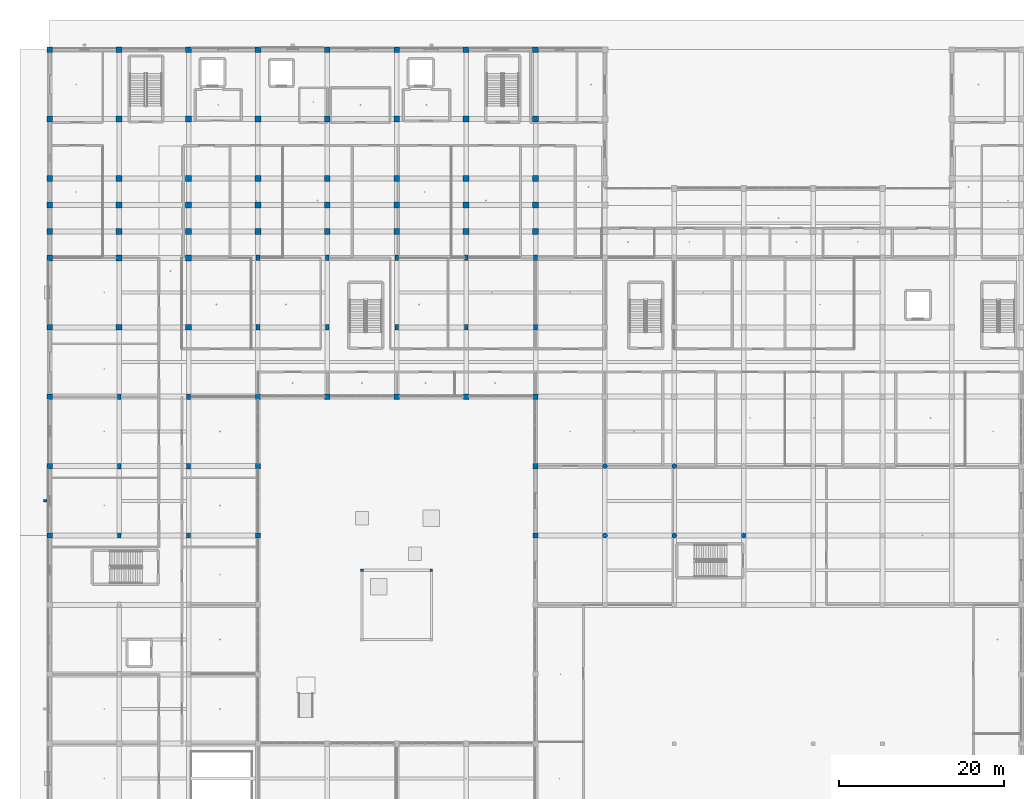
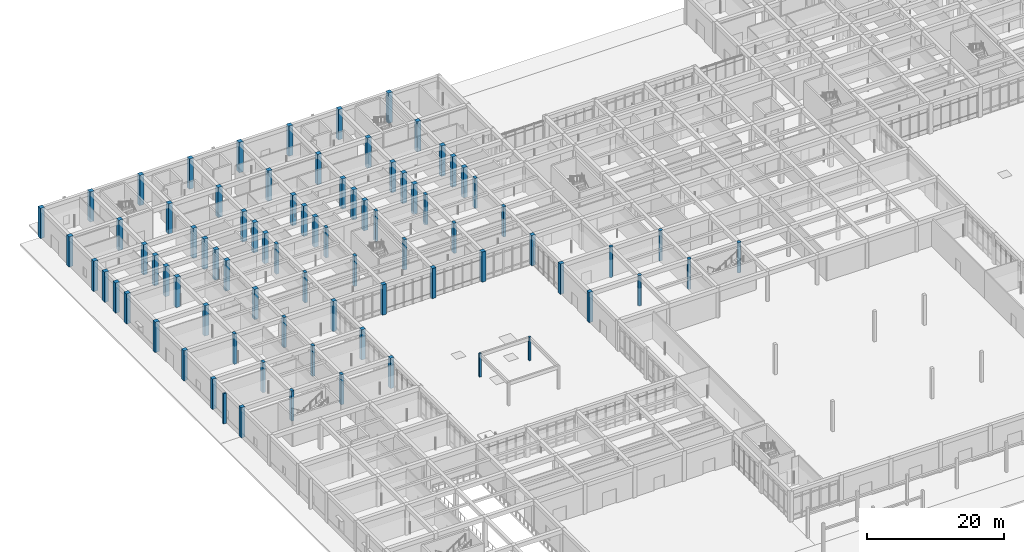
# One storey, part 3 of 167: 82 columns.
"""IFC4 building model written with IfcOpenShell, lengths in metres."""

import ifcopenshell
import ifcopenshell.guid

model = None  # the IFC model being written
_history = None  # IfcOwnerHistory: only IFC2X3 demands one
_inside = {}  # id of a spatial element -> (the spatial element, [elements in it])
_under = {}  # id of a project, library or spatial element -> (it, [spatial elements below it])
_declared = {}  # id of a project -> (the project, [libraries it declares])
_typed = {}  # id of a type object -> (the type object, [elements of that type])
_made_of = {}  # id of a material, layer set ... -> (it, [elements and type objects made of it])


def new_model(schema):
    """Start an empty IFC model of exactly this schema.

    Asked for "IFC4X3", IfcOpenShell would pick the latest addendum, in which some entities
    have other attributes; the version numbers below select the first issue.
    IFC2X3 requires an IfcOwnerHistory on every rooted entity: one is made here for all.
    """
    global model, _history
    if schema == "IFC4X3":
        model = ifcopenshell.file(schema_version=(4, 3, 0, 0))
    else:
        model = ifcopenshell.file(schema=schema)
    _inside.clear()
    _under.clear()
    _declared.clear()
    _typed.clear()
    _made_of.clear()
    _history = None
    if model.schema == "IFC2X3":
        org = make("IfcOrganization", Name="unknown")
        user = make(
            "IfcPersonAndOrganization",
            ThePerson=make("IfcPerson", FamilyName="unknown"),
            TheOrganization=org,
        )
        app = make(
            "IfcApplication",
            ApplicationDeveloper=org,
            Version="unknown",
            ApplicationFullName="unknown",
            ApplicationIdentifier="unknown",
        )
        _history = make(
            "IfcOwnerHistory",
            OwningUser=user,
            OwningApplication=app,
            ChangeAction="ADDED",
            CreationDate=0,
        )
    return model


def make(cls, **values):
    """One entity of the class cls with the attributes given. An attribute that is None is left unset."""
    return model.create_entity(
        cls, **{name: value for name, value in values.items() if value is not None}
    )


def rooted(cls, **values):
    """An entity with a GlobalId (a new one), such as an element, a storey or a relation."""
    return make(cls, GlobalId=ifcopenshell.guid.new(), OwnerHistory=_history, **values)


def si_unit(unit_type, name, prefix=None):
    """IfcSIUnit, for example si_unit("LENGTHUNIT", "METRE", prefix="MILLI")."""
    return make("IfcSIUnit", UnitType=unit_type, Prefix=prefix, Name=name)


def assignment(units):
    """IfcUnitAssignment: the units of a project."""
    return None if units is None else make("IfcUnitAssignment", Units=units)


def point(xyz):
    """IfcCartesianPoint."""
    return None if xyz is None else make("IfcCartesianPoint", Coordinates=xyz)


def direction(xyz):
    """IfcDirection."""
    return None if xyz is None else make("IfcDirection", DirectionRatios=xyz)


def frame(location, z_axis=None, x_axis=None):
    """IfcAxis2Placement3D, a coordinate frame: its origin and axes. An axis left out is left unset."""
    return make(
        "IfcAxis2Placement3D",
        Location=point(location),
        Axis=direction(z_axis),
        RefDirection=direction(x_axis),
    )


def frame_2d(location, x_axis=None):
    """IfcAxis2Placement2D, a coordinate frame in the plane: its origin and x axis."""
    return make(
        "IfcAxis2Placement2D", Location=point(location), RefDirection=direction(x_axis)
    )


def origin():
    """The frame at (0, 0, 0) with its axes left unset."""
    return frame((0.0, 0.0, 0.0))


def origin_2d():
    """The frame at (0, 0) in the plane with its x axis left unset."""
    return frame_2d((0.0, 0.0))


def place(relative_to, where):
    """IfcLocalPlacement: puts the frame where relative to a parent placement (None: the world)."""
    return make(
        "IfcLocalPlacement", PlacementRelTo=relative_to, RelativePlacement=where
    )


def context(
    kind, dimensions, precision=None, world=None, true_north=None, identifier=None
):
    """IfcGeometricRepresentationContext, for example the 3D "Model" context."""
    return make(
        "IfcGeometricRepresentationContext",
        ContextIdentifier=identifier,
        ContextType=kind,
        CoordinateSpaceDimension=dimensions,
        Precision=precision,
        WorldCoordinateSystem=world,
        TrueNorth=true_north,
    )


def subcontext(parent, identifier, kind, view, scale=None):
    """IfcGeometricRepresentationSubContext, for example "Body" below "Model"."""
    return make(
        "IfcGeometricRepresentationSubContext",
        ContextIdentifier=identifier,
        ContextType=kind,
        ParentContext=parent,
        TargetScale=scale,
        TargetView=view,
    )


def project(units=None, contexts=None):
    """IfcProject with its units and contexts."""
    return rooted(
        "IfcProject",
        Name="project",
        RepresentationContexts=contexts,
        UnitsInContext=assignment(units),
    )


def spatial(cls, under=None, at=None, **own):
    """A site, building, storey or space (cls), placed at a placement, below another one or the project."""
    s = rooted(cls, ObjectPlacement=at, **own)
    if under is not None:
        _under.setdefault(under.id(), (under, []))[1].append(s)
    return s


def profile(cls, at=None, kind="AREA", **sizes):
    """A parametric profile (cls). Its sizes go by their IFC names, for example OverallWidth=200.0."""
    return make(cls, ProfileType=kind, Position=at, **sizes)


def rectangle(**sizes):
    """IfcRectangleProfileDef."""
    return profile("IfcRectangleProfileDef", **sizes)


def circle(**sizes):
    """IfcCircleProfileDef."""
    return profile("IfcCircleProfileDef", **sizes)


def extrude(swept, where, along, depth):
    """IfcExtrudedAreaSolid: the profile swept, set in the frame where, extruded along a direction by depth."""
    return make(
        "IfcExtrudedAreaSolid",
        SweptArea=swept,
        Position=where,
        ExtrudedDirection=direction(along),
        Depth=depth,
    )


def shape(context_of_items, identifier, shape_type, items):
    """IfcShapeRepresentation: the items that make up one representation, for example the "Body"."""
    return make(
        "IfcShapeRepresentation",
        ContextOfItems=context_of_items,
        RepresentationIdentifier=identifier,
        RepresentationType=shape_type,
        Items=items,
    )


def material(Name=None, Category=None):
    """IfcMaterial."""
    return make("IfcMaterial", Name=Name, Category=Category)


def material_profile(
    of_material, cross_section, Name=None, Category=None, Priority=None
):
    """IfcMaterialProfile: a cross section and its material."""
    return make(
        "IfcMaterialProfile",
        Name=Name,
        Material=of_material,
        Profile=cross_section,
        Priority=Priority,
        Category=Category,
    )


def profile_set(profiles, Name=None, composite=None):
    """IfcMaterialProfileSet."""
    return make(
        "IfcMaterialProfileSet",
        Name=Name,
        MaterialProfiles=profiles,
        CompositeProfile=composite,
    )


def made_of(thing, what):
    """Note that an element or type object is made of a material, layer set ...; save() writes the relation."""
    if what is not None:
        _made_of.setdefault(what.id(), (what, []))[1].append(thing)
    return thing


def type_object(cls, material=None, **own):
    """A type object (cls), such as IfcWallType, which elements share."""
    return made_of(rooted(cls, **own), material)


def element(
    cls,
    number,
    at=None,
    inside=None,
    cuts=None,
    type_object=None,
    material=None,
    context=None,
    identifier="Body",
    shape_type=None,
    held_by="IfcProductDefinitionShape",
    body=None,
    shapes=None,
    **own,
):
    """One element of the class cls, such as IfcWall. Its Tag is "e" and its number.

    at: its placement. inside: the storey or other place that contains it. cuts: it is an
    opening in that element (IfcRelVoidsElement). A single representation is given by context,
    identifier, shape_type and body (its items); several are given by shapes. held_by: the class
    of the entity that holds the representations. save() writes the other relations.
    """
    e = rooted(cls, Tag="e%d" % number, ObjectPlacement=at, **own)
    if body is not None:
        shapes = [shape(context, identifier, shape_type, body)]
    if shapes is not None:
        e.Representation = make(held_by, Representations=shapes)
    if inside is not None:
        _inside.setdefault(inside.id(), (inside, []))[1].append(e)
    if cuts is not None:
        rooted(
            "IfcRelVoidsElement", RelatingBuildingElement=cuts, RelatedOpeningElement=e
        )
    if type_object is not None:
        _typed.setdefault(type_object.id(), (type_object, []))[1].append(e)
    return made_of(e, material)


def aggregate(whole, parts):
    """IfcRelAggregates: a whole, such as a stair, and the parts it consists of."""
    return rooted("IfcRelAggregates", RelatingObject=whole, RelatedObjects=parts)


def save(model, path):
    """Write the relations noted so far, then the file.

    IfcRelAggregates (storeys below a building ...), IfcRelContainedInSpatialStructure (elements
    in a storey), IfcRelDefinesByType, IfcRelAssociatesMaterial and IfcRelDeclares: one each for
    every whole, place, type object, material and project.
    """
    for whole, parts in _under.values():
        aggregate(whole, parts)
    for where, things in _inside.values():
        rooted(
            "IfcRelContainedInSpatialStructure",
            RelatedElements=things,
            RelatingStructure=where,
        )
    for kind, things in _typed.values():
        rooted("IfcRelDefinesByType", RelatedObjects=things, RelatingType=kind)
    for what, things in _made_of.values():
        rooted("IfcRelAssociatesMaterial", RelatedObjects=things, RelatingMaterial=what)
    for by, libraries in _declared.values():
        rooted("IfcRelDeclares", RelatingContext=by, RelatedDefinitions=libraries)
    model.write(path)


model = new_model("IFC4")

# Units and contexts
model_context = context("Model", 3, precision=1e-05, world=origin(), true_north=direction((0.0, 1.0)))
body_context = subcontext(model_context, "Body", "Model", "MODEL_VIEW")
ifc_project = project(units=[si_unit("LENGTHUNIT", "METRE"), si_unit("AREAUNIT", "SQUARE_METRE"), si_unit("VOLUMEUNIT", "CUBIC_METRE"), si_unit("PLANEANGLEUNIT", "RADIAN"), si_unit("MASSUNIT", "GRAM", prefix="KILO")], contexts=[model_context])

# Site, building, storey
site_placement = place(None, origin())
site = spatial("IfcSite", under=ifc_project, at=site_placement, CompositionType="ELEMENT")
building_placement = place(site_placement, origin())
building = spatial("IfcBuilding", under=site, at=building_placement, Name="Varncliffe General Hospital", CompositionType="ELEMENT")
storey_placement = place(building_placement, origin())
storey = spatial("IfcBuildingStorey", under=building, at=storey_placement, Name="L00", CompositionType="ELEMENT", Elevation=0.0)

# Columns
ifc_material_1 = material(Name="Concrete C40/50 (CSA A23.1 40 MPa)", Category="concrete")
ifc_material_profile_1 = material_profile(ifc_material_1, rectangle(XDim=0.64990234375, YDim=0.64990234375, at=origin_2d()), Name="RC 650x650")
ifc_profile_set_1 = profile_set([ifc_material_profile_1], Name="Concrete C40/50 (CSA A23.1 40 MPa)")
column_type_1 = type_object("IfcColumnType", Name="Column C21 (Ext RC 650x650)", PredefinedType="COLUMN", material=ifc_profile_set_1)
for number, where, z_axis, x_axis, name in (
    (1, (0.0, 66.0, 0.0), (0.0, 0.0, 1.0), (1.0, 0.0, 0.0), "L00 Column C21"),
    (2, (0.0, 74.39990234375, 0.0), (0.0, 0.0, 1.0), (1.0, 0.0, 0.0), "L00 Column C21"),
    (3, (0.0, 82.800048828125, 0.0), (0.0, 0.0, 1.0), (1.0, 0.0, 0.0), "L00 Column C21"),
    (4, (25.199951171875, 66.0, 0.0), (0.0, 0.0, 1.0), (1.0, 0.0, 0.0), "L00 Column C21"),
    (5, (25.199951171875, 74.39990234375, 0.0), (0.0, 0.0, 1.0), (1.0, 0.0, 0.0), "L00 Column C21"),
    (6, (25.199951171875, 82.800048828125, 0.0), (0.0, 0.0, 1.0), (1.0, 0.0, 0.0), "L00 Column C21"),
    (7, (33.60009765625, 82.800048828125, 0.0), (0.0, 0.0, 1.0), (1.0, 0.0, 0.0), "L00 Column C21"),
    (8, (42.0, 82.800048828125, 0.0), (0.0, 0.0, 1.0), (1.0, 0.0, 0.0), "L00 Column C21"),
    (9, (50.39990234375, 82.800048828125, 0.0), (0.0, 0.0, 1.0), (1.0, 0.0, 0.0), "L00 Column C21"),
    (10, (58.800048828125, 66.0, 0.0), (0.0, 0.0, 1.0), (1.0, 0.0, 0.0), "L00 Column C21"),
    (11, (58.800048828125, 74.39990234375, 0.0), (0.0, 0.0, 1.0), (1.0, 0.0, 0.0), "L00 Column C21"),
    (12, (58.800048828125, 82.800048828125, 0.0), (0.0, 0.0, 1.0), (1.0, 0.0, 0.0), "L00 Column C21"),
):
    element("IfcColumn", number, at=place(storey_placement, frame(where, z_axis=z_axis, x_axis=x_axis)), inside=storey, type_object=column_type_1, Name=name, PredefinedType="COLUMN", context=body_context, shape_type="SweptSolid", body=[
        extrude(rectangle(XDim=0.64990234375, YDim=0.64990234375, at=origin_2d()), origin(), (0.0, 0.0, 1.0), 5.39990234375),
    ])
ifc_material_profile_2 = material_profile(ifc_material_1, circle(Radius=0.300048828125, at=origin_2d()), Name="RC D600")
ifc_profile_set_2 = profile_set([ifc_material_profile_2], Name="Concrete C40/50 (CSA A23.1 40 MPa)")
column_type_2 = type_object("IfcColumnType", Name="Column C22 (Int RC D600)", PredefinedType="COLUMN", material=ifc_profile_set_2)
for number, where, z_axis, x_axis, name in (
    (13, (67.199951171875, 66.0, 0.0), (0.0, 0.0, 1.0), (1.0, 0.0, 0.0), "L00 Column C22"),
    (14, (67.199951171875, 74.39990234375, 0.0), (0.0, 0.0, 1.0), (1.0, 0.0, 0.0), "L00 Column C22"),
    (15, (75.60009765625, 66.0, 0.0), (0.0, 0.0, 1.0), (1.0, 0.0, 0.0), "L00 Column C22"),
    (16, (75.60009765625, 74.39990234375, 0.0), (0.0, 0.0, 1.0), (1.0, 0.0, 0.0), "L00 Column C22"),
    (17, (84.0, 66.0, 0.0), (0.0, 0.0, 1.0), (1.0, 0.0, 0.0), "L00 Column C22"),
):
    element("IfcColumn", number, at=place(storey_placement, frame(where, z_axis=z_axis, x_axis=x_axis)), inside=storey, type_object=column_type_2, Name=name, PredefinedType="COLUMN", context=body_context, shape_type="SweptSolid", body=[
        extrude(circle(Radius=0.300048828125, at=origin_2d()), origin(), (0.0, 0.0, 1.0), 5.39990234375),
    ])
ifc_material_2 = material(Name="Glulam GL28h (CSA O86 24f-EX, 30 MPa)", Category="wood")
ifc_material_profile_3 = material_profile(ifc_material_2, rectangle(XDim=0.31494140625, YDim=0.31494140625, at=origin_2d()), Name="GL 315x315")
ifc_profile_set_3 = profile_set([ifc_material_profile_3], Name="Glulam GL28h (CSA O86 24f-EX, 30 MPa)")
column_type_3 = type_object("IfcColumnType", Name="Column C39 (Ext GL 315x315)", PredefinedType="COLUMN", material=ifc_profile_set_3)
for number, where, z_axis, x_axis, name in (
    (18, (37.800048828125, 61.800048828125, 0.0), (0.0, 0.0, 1.0), (1.0, 0.0, 0.0), "L00 Cloister Pergola Glulam Column 3"),
    (19, (46.199951171875, 61.800048828125, 0.0), (0.0, 0.0, 1.0), (1.0, 0.0, 0.0), "L00 Cloister Pergola Glulam Column 4"),
):
    element("IfcColumn", number, at=place(storey_placement, frame(where, z_axis=z_axis, x_axis=x_axis)), inside=storey, type_object=column_type_3, Name=name, PredefinedType="COLUMN", context=body_context, shape_type="SweptSolid", body=[
        extrude(rectangle(XDim=0.31494140625, YDim=0.31494140625, at=origin_2d()), origin(), (0.0, 0.0, 1.0), 4.199951171875),
    ])
ifc_material_profile_4 = material_profile(ifc_material_1, rectangle(XDim=0.699951171875, YDim=0.699951171875, at=origin_2d()), Name="RC 700x700")
ifc_profile_set_4 = profile_set([ifc_material_profile_4], Name="Concrete C40/50 (CSA A23.1 40 MPa)")
column_type_4 = type_object("IfcColumnType", Name="Column C50 (Int RC 700x700)", PredefinedType="COLUMN", material=ifc_profile_set_4)
for number, where, z_axis, x_axis, name in (
    (20, (8.39990234375, 91.199951171875, 0.0), (0.0, 0.0, 1.0), (1.0, 0.0, 0.0), "L00 Column C50"),
    (21, (8.39990234375, 99.60009765625, 0.0), (0.0, 0.0, 1.0), (1.0, 0.0, 0.0), "L00 Column C50"),
    (22, (8.39990234375, 102.800048828125, 0.0), (0.0, 0.0, 1.0), (1.0, 0.0, 0.0), "L00 Column C50"),
    (23, (8.39990234375, 106.0, 0.0), (0.0, 0.0, 1.0), (1.0, 0.0, 0.0), "L00 Column C50"),
    (24, (8.39990234375, 109.199951171875, 0.0), (0.0, 0.0, 1.0), (1.0, 0.0, 0.0), "L00 Column C50"),
    (25, (8.39990234375, 116.39990234375, 0.0), (0.0, 0.0, 1.0), (1.0, 0.0, 0.0), "L00 Column C50"),
    (26, (16.800048828125, 91.199951171875, 0.0), (0.0, 0.0, 1.0), (1.0, 0.0, 0.0), "L00 Column C50"),
    (27, (16.800048828125, 99.60009765625, 0.0), (0.0, 0.0, 1.0), (1.0, 0.0, 0.0), "L00 Column C50"),
    (28, (16.800048828125, 102.800048828125, 0.0), (0.0, 0.0, 1.0), (1.0, 0.0, 0.0), "L00 Column C50"),
    (29, (16.800048828125, 106.0, 0.0), (0.0, 0.0, 1.0), (1.0, 0.0, 0.0), "L00 Column C50"),
    (30, (16.800048828125, 109.199951171875, 0.0), (0.0, 0.0, 1.0), (1.0, 0.0, 0.0), "L00 Column C50"),
    (31, (16.800048828125, 116.39990234375, 0.0), (0.0, 0.0, 1.0), (1.0, 0.0, 0.0), "L00 Column C50"),
    (32, (25.199951171875, 102.800048828125, 0.0), (0.0, 0.0, 1.0), (1.0, 0.0, 0.0), "L00 Column C50"),
    (33, (25.199951171875, 106.0, 0.0), (0.0, 0.0, 1.0), (1.0, 0.0, 0.0), "L00 Column C50"),
    (34, (25.199951171875, 109.199951171875, 0.0), (0.0, 0.0, 1.0), (1.0, 0.0, 0.0), "L00 Column C50"),
    (35, (25.199951171875, 116.39990234375, 0.0), (0.0, 0.0, 1.0), (1.0, 0.0, 0.0), "L00 Column C50"),
    (36, (33.60009765625, 102.800048828125, 0.0), (0.0, 0.0, 1.0), (1.0, 0.0, 0.0), "L00 Column C50"),
    (37, (33.60009765625, 106.0, 0.0), (0.0, 0.0, 1.0), (1.0, 0.0, 0.0), "L00 Column C50"),
    (38, (33.60009765625, 109.199951171875, 0.0), (0.0, 0.0, 1.0), (1.0, 0.0, 0.0), "L00 Column C50"),
    (39, (33.60009765625, 116.39990234375, 0.0), (0.0, 0.0, 1.0), (1.0, 0.0, 0.0), "L00 Column C50"),
    (40, (42.0, 102.800048828125, 0.0), (0.0, 0.0, 1.0), (1.0, 0.0, 0.0), "L00 Column C50"),
    (41, (42.0, 106.0, 0.0), (0.0, 0.0, 1.0), (1.0, 0.0, 0.0), "L00 Column C50"),
    (42, (42.0, 109.199951171875, 0.0), (0.0, 0.0, 1.0), (1.0, 0.0, 0.0), "L00 Column C50"),
    (43, (42.0, 116.39990234375, 0.0), (0.0, 0.0, 1.0), (1.0, 0.0, 0.0), "L00 Column C50"),
    (44, (50.39990234375, 102.800048828125, 0.0), (0.0, 0.0, 1.0), (1.0, 0.0, 0.0), "L00 Column C50"),
    (45, (50.39990234375, 106.0, 0.0), (0.0, 0.0, 1.0), (1.0, 0.0, 0.0), "L00 Column C50"),
    (46, (50.39990234375, 109.199951171875, 0.0), (0.0, 0.0, 1.0), (1.0, 0.0, 0.0), "L00 Column C50"),
    (47, (50.39990234375, 116.39990234375, 0.0), (0.0, 0.0, 1.0), (1.0, 0.0, 0.0), "L00 Column C50"),
    (48, (58.800048828125, 102.800048828125, 0.0), (0.0, 0.0, 1.0), (1.0, 0.0, 0.0), "L00 Column C50"),
    (49, (58.800048828125, 106.0, 0.0), (0.0, 0.0, 1.0), (1.0, 0.0, 0.0), "L00 Column C50"),
    (50, (58.800048828125, 109.199951171875, 0.0), (0.0, 0.0, 1.0), (1.0, 0.0, 0.0), "L00 Column C50"),
    (51, (58.800048828125, 116.39990234375, 0.0), (0.0, 0.0, 1.0), (1.0, 0.0, 0.0), "L00 Column C50"),
):
    element("IfcColumn", number, at=place(storey_placement, frame(where, z_axis=z_axis, x_axis=x_axis)), inside=storey, type_object=column_type_4, Name=name, PredefinedType="COLUMN", context=body_context, shape_type="SweptSolid", body=[
        extrude(rectangle(XDim=0.699951171875, YDim=0.699951171875, at=origin_2d()), origin(), (0.0, 0.0, 1.0), 5.39990234375),
    ])
ifc_material_profile_5 = material_profile(ifc_material_1, rectangle(XDim=0.699951171875, YDim=0.699951171875, at=origin_2d()), Name="RC 700x700")
ifc_profile_set_5 = profile_set([ifc_material_profile_5], Name="Concrete C40/50 (CSA A23.1 40 MPa)")
column_type_5 = type_object("IfcColumnType", Name="Column C54 (Ext RC 700x700)", PredefinedType="COLUMN", material=ifc_profile_set_5)
for number, where, z_axis, x_axis, name in (
    (52, (0.0, 91.199951171875, 0.0), (0.0, 0.0, 1.0), (1.0, 0.0, 0.0), "L00 Column C54"),
    (53, (0.0, 99.60009765625, 0.0), (0.0, 0.0, 1.0), (1.0, 0.0, 0.0), "L00 Column C54"),
    (54, (0.0, 102.800048828125, 0.0), (0.0, 0.0, 1.0), (1.0, 0.0, 0.0), "L00 Column C54"),
    (55, (0.0, 106.0, 0.0), (0.0, 0.0, 1.0), (1.0, 0.0, 0.0), "L00 Column C54"),
    (56, (0.0, 109.199951171875, 0.0), (0.0, 0.0, 1.0), (1.0, 0.0, 0.0), "L00 Column C54"),
    (57, (0.0, 116.39990234375, 0.0), (0.0, 0.0, 1.0), (1.0, 0.0, 0.0), "L00 Column C54"),
    (58, (0.0, 124.800048828125, 0.0), (0.0, 0.0, 1.0), (1.0, 0.0, 0.0), "L00 Column C54"),
    (59, (8.39990234375, 124.800048828125, 0.0), (0.0, 0.0, 1.0), (1.0, 0.0, 0.0), "L00 Column C54"),
    (60, (16.800048828125, 124.800048828125, 0.0), (0.0, 0.0, 1.0), (1.0, 0.0, 0.0), "L00 Column C54"),
    (61, (25.199951171875, 124.800048828125, 0.0), (0.0, 0.0, 1.0), (1.0, 0.0, 0.0), "L00 Column C54"),
    (62, (33.60009765625, 124.800048828125, 0.0), (0.0, 0.0, 1.0), (1.0, 0.0, 0.0), "L00 Column C54"),
    (63, (42.0, 124.800048828125, 0.0), (0.0, 0.0, 1.0), (1.0, 0.0, 0.0), "L00 Column C54"),
    (64, (50.39990234375, 124.800048828125, 0.0), (0.0, 0.0, 1.0), (1.0, 0.0, 0.0), "L00 Column C54"),
    (65, (58.800048828125, 124.800048828125, 0.0), (0.0, 0.0, 1.0), (1.0, 0.0, 0.0), "L00 Column C54"),
):
    element("IfcColumn", number, at=place(storey_placement, frame(where, z_axis=z_axis, x_axis=x_axis)), inside=storey, type_object=column_type_5, Name=name, PredefinedType="COLUMN", context=body_context, shape_type="SweptSolid", body=[
        extrude(rectangle(XDim=0.699951171875, YDim=0.699951171875, at=origin_2d()), origin(), (0.0, 0.0, 1.0), 5.39990234375),
    ])
ifc_material_profile_6 = material_profile(ifc_material_1, rectangle(XDim=0.449951171875, YDim=0.64990234375, at=origin_2d()), Name="RC 450x650")
ifc_profile_set_6 = profile_set([ifc_material_profile_6], Name="Concrete C40/50 (CSA A23.1 40 MPa)")
column_type_6 = type_object("IfcColumnType", Name="Column C71 (Int RC 450x650)", PredefinedType="COLUMN", material=ifc_profile_set_6)
for number, where, z_axis, x_axis, name in (
    (66, (8.39990234375, 66.0, 0.0), (0.0, 0.0, 1.0), (1.0, 0.0, 0.0), "L00 Column C71"),
    (67, (8.39990234375, 74.39990234375, 0.0), (0.0, 0.0, 1.0), (1.0, 0.0, 0.0), "L00 Column C71"),
    (68, (8.39990234375, 82.800048828125, 0.0), (0.0, 0.0, 1.0), (1.0, 0.0, 0.0), "L00 Column C71"),
    (69, (16.800048828125, 66.0, 0.0), (0.0, 0.0, 1.0), (1.0, 0.0, 0.0), "L00 Column C71"),
    (70, (16.800048828125, 74.39990234375, 0.0), (0.0, 0.0, 1.0), (1.0, 0.0, 0.0), "L00 Column C71"),
    (71, (16.800048828125, 82.800048828125, 0.0), (0.0, 0.0, 1.0), (1.0, 0.0, 0.0), "L00 Column C71"),
    (72, (25.199951171875, 91.199951171875, 0.0), (0.0, 0.0, 1.0), (1.0, 0.0, 0.0), "L00 Column C71"),
    (73, (25.199951171875, 99.60009765625, 0.0), (0.0, 0.0, 1.0), (1.0, 0.0, 0.0), "L00 Column C71"),
    (74, (33.60009765625, 91.199951171875, 0.0), (0.0, 0.0, 1.0), (1.0, 0.0, 0.0), "L00 Column C71"),
    (75, (33.60009765625, 99.60009765625, 0.0), (0.0, 0.0, 1.0), (1.0, 0.0, 0.0), "L00 Column C71"),
    (76, (42.0, 91.199951171875, 0.0), (0.0, 0.0, 1.0), (1.0, 0.0, 0.0), "L00 Column C71"),
    (77, (42.0, 99.60009765625, 0.0), (0.0, 0.0, 1.0), (1.0, 0.0, 0.0), "L00 Column C71"),
    (78, (50.39990234375, 91.199951171875, 0.0), (0.0, 0.0, 1.0), (1.0, 0.0, 0.0), "L00 Column C71"),
    (79, (50.39990234375, 99.60009765625, 0.0), (0.0, 0.0, 1.0), (1.0, 0.0, 0.0), "L00 Column C71"),
    (80, (58.800048828125, 91.199951171875, 0.0), (0.0, 0.0, 1.0), (1.0, 0.0, 0.0), "L00 Column C71"),
    (81, (58.800048828125, 99.60009765625, 0.0), (0.0, 0.0, 1.0), (1.0, 0.0, 0.0), "L00 Column C71"),
):
    element("IfcColumn", number, at=place(storey_placement, frame(where, z_axis=z_axis, x_axis=x_axis)), inside=storey, type_object=column_type_6, Name=name, PredefinedType="COLUMN", context=body_context, shape_type="SweptSolid", body=[
        extrude(rectangle(XDim=0.449951171875, YDim=0.64990234375, at=origin_2d()), origin(), (0.0, 0.0, 1.0), 5.39990234375),
    ])
ifc_material_3 = material(Name="Precast concrete C40/50", Category="concrete")
ifc_material_profile_7 = material_profile(ifc_material_3, rectangle(XDim=0.449951171875, YDim=0.280029296875, at=origin_2d()), Name="PIL 450x280")
ifc_profile_set_7 = profile_set([ifc_material_profile_7], Name="Precast concrete C40/50")
column_type_7 = type_object("IfcColumnType", Name="Pilaster PL64 (PIL 450x280)", PredefinedType="PILASTER", material=ifc_profile_set_7)
column_placement = place(storey_placement, frame((-0.550048828125, 70.199951171875, 0.0), z_axis=(0.0, 0.0, 1.0), x_axis=(1.0, 0.0, 0.0)))
element("IfcColumn", 82, at=column_placement, inside=storey, type_object=column_type_7, Name="L00 Facade Pilaster PL64-7", PredefinedType="PILASTER", context=body_context, shape_type="SweptSolid", body=[
    extrude(rectangle(XDim=0.449951171875, YDim=0.280029296875, at=origin_2d()), origin(), (0.0, 0.0, 1.0), 5.39990234375),
])

save(model, "model.ifc")
